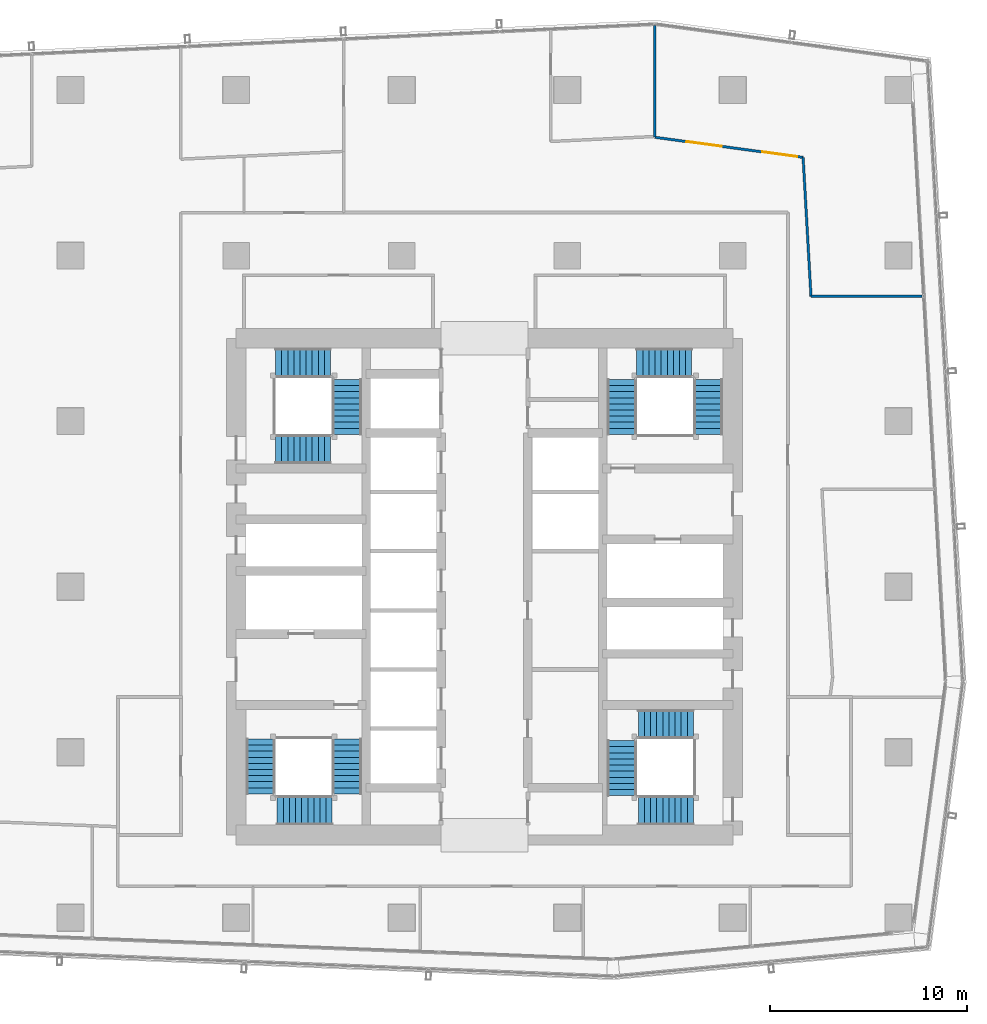
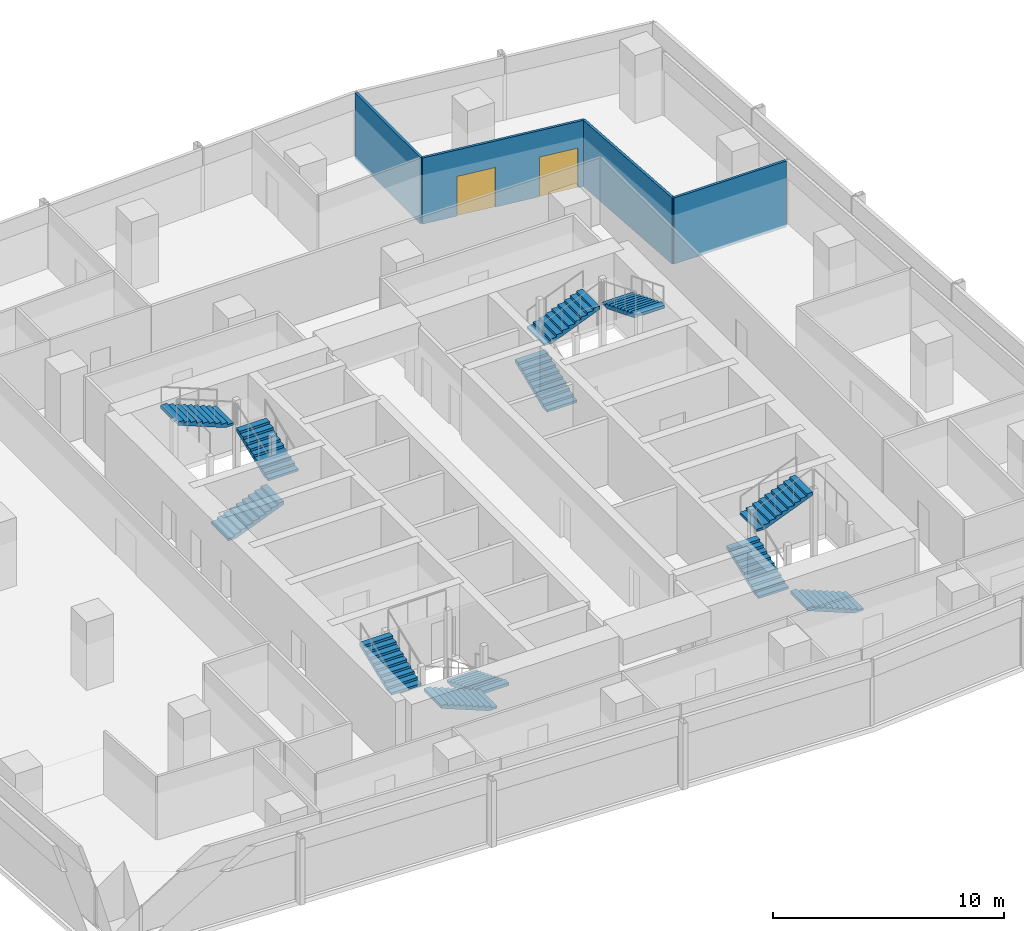
# One storey, part 30 of 40: 12 stair flights, 4 walls, 2 doors, 2 openings, 4 elements without a shape of their own.
"""IFC4 building model written with IfcOpenShell, lengths in metres."""

from ifc_helpers import new_model, si_unit, direction, frame, frame_2d, origin, place, context, subcontext, project, spatial, polyline, rectangle, outline, extrude, material, layer, layer_set, type_object, element, fill, aggregate, save


model = new_model("IFC4")

# Units and contexts
model_context = context("Model", 3, precision=1e-05, world=origin(), true_north=direction((0.0, 1.0)))
body_context = subcontext(model_context, "Body", "Model", "MODEL_VIEW")
ifc_project = project(units=[si_unit("LENGTHUNIT", "METRE"), si_unit("AREAUNIT", "SQUARE_METRE"), si_unit("VOLUMEUNIT", "CUBIC_METRE"), si_unit("PLANEANGLEUNIT", "RADIAN"), si_unit("MASSUNIT", "GRAM", prefix="KILO")], contexts=[model_context])

# Site, building, storey
site_placement = place(None, origin())
site = spatial("IfcSite", under=ifc_project, at=site_placement, CompositionType="ELEMENT")
building_placement = place(site_placement, origin())
building = spatial("IfcBuilding", under=site, at=building_placement, Name="Rekha Terrace Tower", CompositionType="ELEMENT")
storey_placement = place(building_placement, frame((0.0, 0.0, 210.199951171875)))
storey = spatial("IfcBuildingStorey", under=building, at=storey_placement, Name="L53", CompositionType="ELEMENT", Elevation=210.199951171875)

# Walls
ifc_material_1 = material(Name="Two layers of fire-rated gypsum board each side on steel studs, acoustic quilt, 1 hour", Category="steel")
ifc_layer = layer(ifc_material_1, 0.125)
ifc_layer_set = layer_set([ifc_layer], Name="Two layers of fire-rated gypsum board each side on steel studs, acoustic quilt, 1 hour")
wall_type = type_object("IfcWallType", Name="WP3 125 office partition", PredefinedType="PARTITIONING", material=ifc_layer_set)
wall_1_placement = place(storey_placement, frame((59.99609375, 48.33203125, 0.0), z_axis=(0.0, 0.0, 1.0), x_axis=(-1.0, 0.0, 0.0)))
element("IfcWall", 1, at=wall_1_placement, inside=storey, type_object=wall_type, Name="Partition L53-06", PredefinedType="PARTITIONING", context=body_context, shape_type="SweptSolid", body=[
    extrude(rectangle(XDim=5.629150390625, YDim=0.125, at=frame_2d((2.814453125, 0.0))), origin(), (0.0, 0.0, 1.0), 3.5),
])
wall_2_placement = place(storey_placement, frame((54.366943359375, 48.33203125, 0.0), z_axis=(0.0, 0.0, 1.0), x_axis=(-0.056665560921, 0.998393216226, 0.0)))
element("IfcWall", 2, at=wall_2_placement, inside=storey, type_object=wall_type, Name="Partition L53-06", PredefinedType="PARTITIONING", context=body_context, shape_type="SweptSolid", body=[
    extrude(rectangle(XDim=7.05712890625, YDim=0.125, at=frame_2d((3.528564453125, 0.0))), origin(), (0.0, 0.0, 1.0), 3.5),
])

# Wall, openings, doors
wall_3_placement = place(storey_placement, frame((53.967041015625, 55.3779296875, 0.0), z_axis=(0.0, 0.0, 1.0), x_axis=(-0.990876693027, 0.134771581633, 0.0)))
wall_3 = element("IfcWall", 3, at=wall_3_placement, inside=storey, type_object=wall_type, Name="Partition L53-06", PredefinedType="PARTITIONING", context=body_context, shape_type="SweptSolid", body=[
    extrude(rectangle(XDim=7.59033203125, YDim=0.125, at=frame_2d((3.795166015625, 0.0))), origin(), (0.0, 0.0, 1.0), 3.5),
])
opening_1_placement = place(wall_3_placement, frame((4.1689453125, 0.0, 0.0)))
opening_1 = element("IfcOpeningElement", 4, at=opening_1_placement, cuts=wall_3, Name="Opening D8", PredefinedType="OPENING", context=body_context, shape_type="SweptSolid", body=[
    extrude(rectangle(XDim=1.800048828125, YDim=2.10009765625, at=frame_2d((0.89990234375, 1.050048828125))), frame((0.0, 0.072509765625, 0.0), z_axis=(0.0, -1.0, 0.0), x_axis=(1.0, 0.0, 0.0)), (0.0, 0.0, 1.0), 0.14501953125),
])
opening_2_placement = place(wall_3_placement, frame((0.2958984375, 0.0, 0.0)))
opening_2 = element("IfcOpeningElement", 5, at=opening_2_placement, cuts=wall_3, Name="Opening D8", PredefinedType="OPENING", context=body_context, shape_type="SweptSolid", body=[
    extrude(rectangle(XDim=1.800048828125, YDim=2.10009765625, at=frame_2d((0.89990234375, 1.050048828125))), frame((0.0, 0.072509765625, 0.0), z_axis=(0.0, -1.0, 0.0), x_axis=(1.0, 0.0, 0.0)), (0.0, 0.0, 1.0), 0.14501953125),
])
ifc_material_2 = material(Name="Timber fire door", Category="wood")
door_type = type_object("IfcDoorType", Name="D8 1800x2100 double leaf door", OperationType="DOUBLE_DOOR_SINGLE_SWING", PredefinedType="DOOR", material=ifc_material_2)
door_1_placement = place(opening_1_placement, origin())
door_1 = element("IfcDoor", 6, at=door_1_placement, inside=storey, type_object=door_type, Name="Door board meeting room L53", OperationType="DOUBLE_DOOR_SINGLE_SWING", OverallHeight=2.10009765625, OverallWidth=1.800048828125, PredefinedType="DOOR", context=body_context, shape_type="SweptSolid", body=[
    extrude(rectangle(XDim=1.800048828125, YDim=2.10009765625, at=frame_2d((0.89990234375, 1.050048828125))), frame((0.0, 0.02490234375, 0.0), z_axis=(0.0, -1.0, 0.0), x_axis=(1.0, 0.0, 0.0)), (0.0, 0.0, 1.0), 0.050048828125),
])
fill(opening_1, door_1)
door_2_placement = place(opening_2_placement, origin())
door_2 = element("IfcDoor", 7, at=door_2_placement, inside=storey, type_object=door_type, Name="Door board meeting room L53", OperationType="DOUBLE_DOOR_SINGLE_SWING", OverallHeight=2.10009765625, OverallWidth=1.800048828125, PredefinedType="DOOR", context=body_context, shape_type="SweptSolid", body=[
    extrude(rectangle(XDim=1.800048828125, YDim=2.10009765625, at=frame_2d((0.89990234375, 1.050048828125))), frame((0.0, 0.02490234375, 0.0), z_axis=(0.0, -1.0, 0.0), x_axis=(1.0, 0.0, 0.0)), (0.0, 0.0, 1.0), 0.050048828125),
])
fill(opening_2, door_2)

# Wall
wall_4_placement = place(storey_placement, frame((46.445068359375, 56.419921875, 0.0), z_axis=(0.0, 0.0, 1.0), x_axis=(0.0, 1.0, 0.0)))
element("IfcWall", 8, at=wall_4_placement, inside=storey, type_object=wall_type, Name="Partition L53-06", PredefinedType="PARTITIONING", context=body_context, shape_type="SweptSolid", body=[
    extrude(rectangle(XDim=5.64697265625, YDim=0.125, at=frame_2d((2.823486328125, 0.0))), origin(), (0.0, 0.0, 1.0), 3.5),
])

# Stair, stair flights
ifc_material_3 = material(Name="Concrete M40", Category="concrete")
stair_type = type_object("IfcStairType", Name="ST30 stair, 30 risers of 125, going 310, 1500 wide flights, 3 flights", PredefinedType="HALF_TURN_STAIR", material=ifc_material_3)
stair_1_placement = place(storey_placement, origin())
stair_1 = element("IfcStair", 9, at=stair_1_placement, inside=storey, type_object=stair_type, Name="Stair ST1 L53 to L54", PredefinedType="HALF_TURN_STAIR")
stair_flight_type = type_object("IfcStairFlightType", Name="SF10 stair flight, 10 risers of 125, going 310, 1500 wide", PredefinedType="STRAIGHT", material=ifc_material_3)
stair_flight_1_placement = place(storey_placement, frame((30.824951171875, 25.875, 0.0), z_axis=(0.0, 0.0, 1.0), x_axis=(0.0, -1.0, 0.0)))
stair_flight_1 = element("IfcStairFlight", 10, at=stair_flight_1_placement, type_object=stair_flight_type, Name="ST1 flight 1", NumberOfRisers=10, NumberOfTreads=9, PredefinedType="STRAIGHT", RiserHeight=0.125, TreadLength=0.31, context=body_context, shape_type="SweptSolid", body=[
    extrude(outline(polyline([(0.0, 0.0), (0.0, 0.125), (0.31005859375, 0.125), (0.31005859375, 0.25), (0.6201171875, 0.25), (0.6201171875, 0.375), (0.929931640625, 0.375), (0.929931640625, 0.5), (1.239990234375, 0.5), (1.239990234375, 0.625), (1.550048828125, 0.625), (1.550048828125, 0.75), (1.860107421875, 0.75), (1.860107421875, 0.875), (2.169921875, 0.875), (2.169921875, 1.0), (2.47998046875, 1.0), (2.47998046875, 1.125), (2.7900390625, 1.125), (2.7900390625, 1.25), (2.7900390625, 0.96337890625), (0.40087890625, 0.0), (0.0, 0.0)])), frame((0.0, 0.75, 0.0), z_axis=(0.0, -1.0, 0.0), x_axis=(1.0, 0.0, 0.0)), (0.0, 0.0, 1.0), 1.5),
])
stair_flight_2_placement = place(storey_placement, frame((30.074951171875, 22.25, 1.25), z_axis=(0.0, 0.0, 1.0), x_axis=(-1.0, 0.0, 0.0)))
stair_flight_2 = element("IfcStairFlight", 11, at=stair_flight_2_placement, type_object=stair_flight_type, Name="ST1 flight 2", NumberOfRisers=10, NumberOfTreads=9, PredefinedType="STRAIGHT", RiserHeight=0.125, TreadLength=0.31, context=body_context, shape_type="SweptSolid", body=[
    extrude(outline(polyline([(0.0, 0.0), (0.0, 0.125), (0.31005859375, 0.125), (0.31005859375, 0.25), (0.6201171875, 0.25), (0.6201171875, 0.375), (0.929931640625, 0.375), (0.929931640625, 0.5), (1.239990234375, 0.5), (1.239990234375, 0.625), (1.550048828125, 0.625), (1.550048828125, 0.75), (1.860107421875, 0.75), (1.860107421875, 0.875), (2.169921875, 0.875), (2.169921875, 1.0), (2.47998046875, 1.0), (2.47998046875, 1.125), (2.7900390625, 1.125), (2.7900390625, 1.25), (2.7900390625, 0.96337890625), (0.40087890625, 0.0), (0.0, 0.0)])), frame((0.0, 0.75, 0.0), z_axis=(0.0, -1.0, 0.0), x_axis=(1.0, 0.0, 0.0)), (0.0, 0.0, 1.0), 1.5),
])
stair_flight_3_placement = place(storey_placement, frame((26.449951171875, 23.0849609375, 2.5), z_axis=(0.0, 0.0, 1.0), x_axis=(0.0, 1.0, 0.0)))
stair_flight_3 = element("IfcStairFlight", 12, at=stair_flight_3_placement, type_object=stair_flight_type, Name="ST1 flight 3", NumberOfRisers=10, NumberOfTreads=9, PredefinedType="STRAIGHT", RiserHeight=0.125, TreadLength=0.31, context=body_context, shape_type="SweptSolid", body=[
    extrude(outline(polyline([(0.0, 0.0), (0.0, 0.125), (0.31005859375, 0.125), (0.31005859375, 0.25), (0.6201171875, 0.25), (0.6201171875, 0.375), (0.929931640625, 0.375), (0.929931640625, 0.5), (1.239990234375, 0.5), (1.239990234375, 0.625), (1.550048828125, 0.625), (1.550048828125, 0.75), (1.860107421875, 0.75), (1.860107421875, 0.875), (2.169921875, 0.875), (2.169921875, 1.0), (2.47998046875, 1.0), (2.47998046875, 1.125), (2.7900390625, 1.125), (2.7900390625, 1.25), (2.7900390625, 0.96337890625), (0.40087890625, 0.0), (0.0, 0.0)])), frame((0.0, 0.75, 0.0), z_axis=(0.0, -1.0, 0.0), x_axis=(1.0, 0.0, 0.0)), (0.0, 0.0, 1.0), 1.5),
])
aggregate(stair_1, [stair_flight_1, stair_flight_2, stair_flight_3])

stair_2_placement = place(storey_placement, origin())
stair_2 = element("IfcStair", 13, at=stair_2_placement, inside=storey, type_object=stair_type, Name="Stair ST2 L53 to L54", PredefinedType="HALF_TURN_STAIR")
stair_flight_4_placement = place(storey_placement, frame((44.77490234375, 41.324951171875, 0.0), z_axis=(0.0, 0.0, 1.0), x_axis=(0.0, 1.0, 0.0)))
stair_flight_4 = element("IfcStairFlight", 14, at=stair_flight_4_placement, type_object=stair_flight_type, Name="ST2 flight 1", NumberOfRisers=10, NumberOfTreads=9, PredefinedType="STRAIGHT", RiserHeight=0.125, TreadLength=0.31, context=body_context, shape_type="SweptSolid", body=[
    extrude(outline(polyline([(0.0, 0.0), (0.0, 0.125), (0.31005859375, 0.125), (0.31005859375, 0.25), (0.6201171875, 0.25), (0.6201171875, 0.375), (0.929931640625, 0.375), (0.929931640625, 0.5), (1.239990234375, 0.5), (1.239990234375, 0.625), (1.550048828125, 0.625), (1.550048828125, 0.75), (1.860107421875, 0.75), (1.860107421875, 0.875), (2.169921875, 0.875), (2.169921875, 1.0), (2.47998046875, 1.0), (2.47998046875, 1.125), (2.7900390625, 1.125), (2.7900390625, 1.25), (2.7900390625, 0.96337890625), (0.40087890625, 0.0), (0.0, 0.0)])), frame((0.0, 0.75, 0.0), z_axis=(0.0, -1.0, 0.0), x_axis=(1.0, 0.0, 0.0)), (0.0, 0.0, 1.0), 1.5),
])
stair_flight_5_placement = place(storey_placement, frame((45.52490234375, 44.949951171875, 1.25), z_axis=(0.0, 0.0, 1.0), x_axis=(1.0, 0.0, 0.0)))
stair_flight_5 = element("IfcStairFlight", 15, at=stair_flight_5_placement, type_object=stair_flight_type, Name="ST2 flight 2", NumberOfRisers=10, NumberOfTreads=9, PredefinedType="STRAIGHT", RiserHeight=0.125, TreadLength=0.31, context=body_context, shape_type="SweptSolid", body=[
    extrude(outline(polyline([(0.0, 0.0), (0.0, 0.125), (0.31005859375, 0.125), (0.31005859375, 0.25), (0.6201171875, 0.25), (0.6201171875, 0.375), (0.929931640625, 0.375), (0.929931640625, 0.5), (1.239990234375, 0.5), (1.239990234375, 0.625), (1.550048828125, 0.625), (1.550048828125, 0.75), (1.860107421875, 0.75), (1.860107421875, 0.875), (2.169921875, 0.875), (2.169921875, 1.0), (2.47998046875, 1.0), (2.47998046875, 1.125), (2.7900390625, 1.125), (2.7900390625, 1.25), (2.7900390625, 0.96337890625), (0.40087890625, 0.0), (0.0, 0.0)])), frame((0.0, 0.75, 0.0), z_axis=(0.0, -1.0, 0.0), x_axis=(1.0, 0.0, 0.0)), (0.0, 0.0, 1.0), 1.5),
])
stair_flight_6_placement = place(storey_placement, frame((49.14990234375, 44.114990234375, 2.5), z_axis=(0.0, 0.0, 1.0), x_axis=(0.0, -1.0, 0.0)))
stair_flight_6 = element("IfcStairFlight", 16, at=stair_flight_6_placement, type_object=stair_flight_type, Name="ST2 flight 3", NumberOfRisers=10, NumberOfTreads=9, PredefinedType="STRAIGHT", RiserHeight=0.125, TreadLength=0.31, context=body_context, shape_type="SweptSolid", body=[
    extrude(outline(polyline([(0.0, 0.0), (0.0, 0.125), (0.31005859375, 0.125), (0.31005859375, 0.25), (0.6201171875, 0.25), (0.6201171875, 0.375), (0.929931640625, 0.375), (0.929931640625, 0.5), (1.239990234375, 0.5), (1.239990234375, 0.625), (1.550048828125, 0.625), (1.550048828125, 0.75), (1.860107421875, 0.75), (1.860107421875, 0.875), (2.169921875, 0.875), (2.169921875, 1.0), (2.47998046875, 1.0), (2.47998046875, 1.125), (2.7900390625, 1.125), (2.7900390625, 1.25), (2.7900390625, 0.96337890625), (0.40087890625, 0.0), (0.0, 0.0)])), frame((0.0, 0.75, 0.0), z_axis=(0.0, -1.0, 0.0), x_axis=(1.0, 0.0, 0.0)), (0.0, 0.0, 1.0), 1.5),
])
aggregate(stair_2, [stair_flight_4, stair_flight_5, stair_flight_6])

stair_3_placement = place(storey_placement, origin())
stair_3 = element("IfcStair", 17, at=stair_3_placement, inside=storey, type_object=stair_type, Name="Stair ST3 L53 to L54", PredefinedType="HALF_TURN_STAIR")
stair_flight_7_placement = place(storey_placement, frame((48.39990234375, 22.25, 0.0), z_axis=(0.0, 0.0, 1.0), x_axis=(-1.0, 0.0, 0.0)))
stair_flight_7 = element("IfcStairFlight", 18, at=stair_flight_7_placement, type_object=stair_flight_type, Name="ST3 flight 1", NumberOfRisers=10, NumberOfTreads=9, PredefinedType="STRAIGHT", RiserHeight=0.125, TreadLength=0.31, context=body_context, shape_type="SweptSolid", body=[
    extrude(outline(polyline([(0.0, 0.0), (0.0, 0.125), (0.31005859375, 0.125), (0.31005859375, 0.25), (0.6201171875, 0.25), (0.6201171875, 0.375), (0.929931640625, 0.375), (0.929931640625, 0.5), (1.239990234375, 0.5), (1.239990234375, 0.625), (1.550048828125, 0.625), (1.550048828125, 0.75), (1.860107421875, 0.75), (1.860107421875, 0.875), (2.169921875, 0.875), (2.169921875, 1.0), (2.47998046875, 1.0), (2.47998046875, 1.125), (2.7900390625, 1.125), (2.7900390625, 1.25), (2.7900390625, 0.96337890625), (0.40087890625, 0.0), (0.0, 0.0)])), frame((0.0, 0.75, 0.0), z_axis=(0.0, -1.0, 0.0), x_axis=(1.0, 0.0, 0.0)), (0.0, 0.0, 1.0), 1.5),
])
stair_flight_8_placement = place(storey_placement, frame((44.77490234375, 23.0, 1.25), z_axis=(0.0, 0.0, 1.0), x_axis=(0.0, 1.0, 0.0)))
stair_flight_8 = element("IfcStairFlight", 19, at=stair_flight_8_placement, type_object=stair_flight_type, Name="ST3 flight 2", NumberOfRisers=10, NumberOfTreads=9, PredefinedType="STRAIGHT", RiserHeight=0.125, TreadLength=0.31, context=body_context, shape_type="SweptSolid", body=[
    extrude(outline(polyline([(0.0, 0.0), (0.0, 0.125), (0.31005859375, 0.125), (0.31005859375, 0.25), (0.6201171875, 0.25), (0.6201171875, 0.375), (0.929931640625, 0.375), (0.929931640625, 0.5), (1.239990234375, 0.5), (1.239990234375, 0.625), (1.550048828125, 0.625), (1.550048828125, 0.75), (1.860107421875, 0.75), (1.860107421875, 0.875), (2.169921875, 0.875), (2.169921875, 1.0), (2.47998046875, 1.0), (2.47998046875, 1.125), (2.7900390625, 1.125), (2.7900390625, 1.25), (2.7900390625, 0.96337890625), (0.40087890625, 0.0), (0.0, 0.0)])), frame((0.0, 0.75, 0.0), z_axis=(0.0, -1.0, 0.0), x_axis=(1.0, 0.0, 0.0)), (0.0, 0.0, 1.0), 1.5),
])
stair_flight_9_placement = place(storey_placement, frame((45.610107421875, 26.625, 2.5), z_axis=(0.0, 0.0, 1.0), x_axis=(1.0, 0.0, 0.0)))
stair_flight_9 = element("IfcStairFlight", 20, at=stair_flight_9_placement, type_object=stair_flight_type, Name="ST3 flight 3", NumberOfRisers=10, NumberOfTreads=9, PredefinedType="STRAIGHT", RiserHeight=0.125, TreadLength=0.31, context=body_context, shape_type="SweptSolid", body=[
    extrude(outline(polyline([(0.0, 0.0), (0.0, 0.125), (0.31005859375, 0.125), (0.31005859375, 0.25), (0.6201171875, 0.25), (0.6201171875, 0.375), (0.929931640625, 0.375), (0.929931640625, 0.5), (1.239990234375, 0.5), (1.239990234375, 0.625), (1.550048828125, 0.625), (1.550048828125, 0.75), (1.860107421875, 0.75), (1.860107421875, 0.875), (2.169921875, 0.875), (2.169921875, 1.0), (2.47998046875, 1.0), (2.47998046875, 1.125), (2.7900390625, 1.125), (2.7900390625, 1.25), (2.7900390625, 0.96337890625), (0.40087890625, 0.0), (0.0, 0.0)])), frame((0.0, 0.75, 0.0), z_axis=(0.0, -1.0, 0.0), x_axis=(1.0, 0.0, 0.0)), (0.0, 0.0, 1.0), 1.5),
])
aggregate(stair_3, [stair_flight_7, stair_flight_8, stair_flight_9])

stair_4_placement = place(storey_placement, origin())
stair_4 = element("IfcStair", 21, at=stair_4_placement, inside=storey, type_object=stair_type, Name="Stair ST4 L53 to L54", PredefinedType="HALF_TURN_STAIR")
stair_flight_10_placement = place(storey_placement, frame((27.199951171875, 40.574951171875, 0.0), z_axis=(0.0, 0.0, 1.0), x_axis=(1.0, 0.0, 0.0)))
stair_flight_10 = element("IfcStairFlight", 22, at=stair_flight_10_placement, type_object=stair_flight_type, Name="ST4 flight 1", NumberOfRisers=10, NumberOfTreads=9, PredefinedType="STRAIGHT", RiserHeight=0.125, TreadLength=0.31, context=body_context, shape_type="SweptSolid", body=[
    extrude(outline(polyline([(0.0, 0.0), (0.0, 0.125), (0.31005859375, 0.125), (0.31005859375, 0.25), (0.6201171875, 0.25), (0.6201171875, 0.375), (0.929931640625, 0.375), (0.929931640625, 0.5), (1.239990234375, 0.5), (1.239990234375, 0.625), (1.550048828125, 0.625), (1.550048828125, 0.75), (1.860107421875, 0.75), (1.860107421875, 0.875), (2.169921875, 0.875), (2.169921875, 1.0), (2.47998046875, 1.0), (2.47998046875, 1.125), (2.7900390625, 1.125), (2.7900390625, 1.25), (2.7900390625, 0.96337890625), (0.40087890625, 0.0), (0.0, 0.0)])), frame((0.0, 0.75, 0.0), z_axis=(0.0, -1.0, 0.0), x_axis=(1.0, 0.0, 0.0)), (0.0, 0.0, 1.0), 1.5),
])
stair_flight_11_placement = place(storey_placement, frame((30.824951171875, 41.324951171875, 1.25), z_axis=(0.0, 0.0, 1.0), x_axis=(0.0, 1.0, 0.0)))
stair_flight_11 = element("IfcStairFlight", 23, at=stair_flight_11_placement, type_object=stair_flight_type, Name="ST4 flight 2", NumberOfRisers=10, NumberOfTreads=9, PredefinedType="STRAIGHT", RiserHeight=0.125, TreadLength=0.31, context=body_context, shape_type="SweptSolid", body=[
    extrude(outline(polyline([(0.0, 0.0), (0.0, 0.125), (0.31005859375, 0.125), (0.31005859375, 0.25), (0.6201171875, 0.25), (0.6201171875, 0.375), (0.929931640625, 0.375), (0.929931640625, 0.5), (1.239990234375, 0.5), (1.239990234375, 0.625), (1.550048828125, 0.625), (1.550048828125, 0.75), (1.860107421875, 0.75), (1.860107421875, 0.875), (2.169921875, 0.875), (2.169921875, 1.0), (2.47998046875, 1.0), (2.47998046875, 1.125), (2.7900390625, 1.125), (2.7900390625, 1.25), (2.7900390625, 0.96337890625), (0.40087890625, 0.0), (0.0, 0.0)])), frame((0.0, 0.75, 0.0), z_axis=(0.0, -1.0, 0.0), x_axis=(1.0, 0.0, 0.0)), (0.0, 0.0, 1.0), 1.5),
])
stair_flight_12_placement = place(storey_placement, frame((29.989990234375, 44.949951171875, 2.5), z_axis=(0.0, 0.0, 1.0), x_axis=(-1.0, 0.0, 0.0)))
stair_flight_12 = element("IfcStairFlight", 24, at=stair_flight_12_placement, type_object=stair_flight_type, Name="ST4 flight 3", NumberOfRisers=10, NumberOfTreads=9, PredefinedType="STRAIGHT", RiserHeight=0.125, TreadLength=0.31, context=body_context, shape_type="SweptSolid", body=[
    extrude(outline(polyline([(0.0, 0.0), (0.0, 0.125), (0.31005859375, 0.125), (0.31005859375, 0.25), (0.6201171875, 0.25), (0.6201171875, 0.375), (0.929931640625, 0.375), (0.929931640625, 0.5), (1.239990234375, 0.5), (1.239990234375, 0.625), (1.550048828125, 0.625), (1.550048828125, 0.75), (1.860107421875, 0.75), (1.860107421875, 0.875), (2.169921875, 0.875), (2.169921875, 1.0), (2.47998046875, 1.0), (2.47998046875, 1.125), (2.7900390625, 1.125), (2.7900390625, 1.25), (2.7900390625, 0.96337890625), (0.40087890625, 0.0), (0.0, 0.0)])), frame((0.0, 0.75, 0.0), z_axis=(0.0, -1.0, 0.0), x_axis=(1.0, 0.0, 0.0)), (0.0, 0.0, 1.0), 1.5),
])
aggregate(stair_4, [stair_flight_10, stair_flight_11, stair_flight_12])

save(model, "model.ifc")
